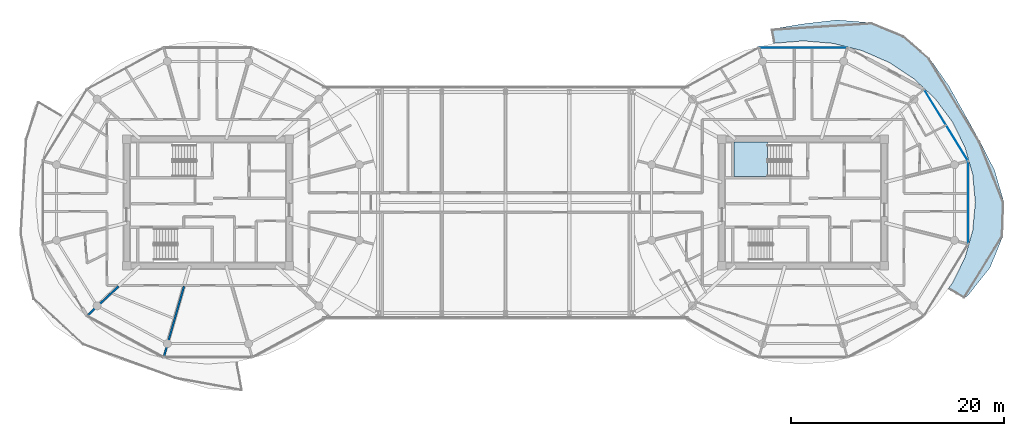
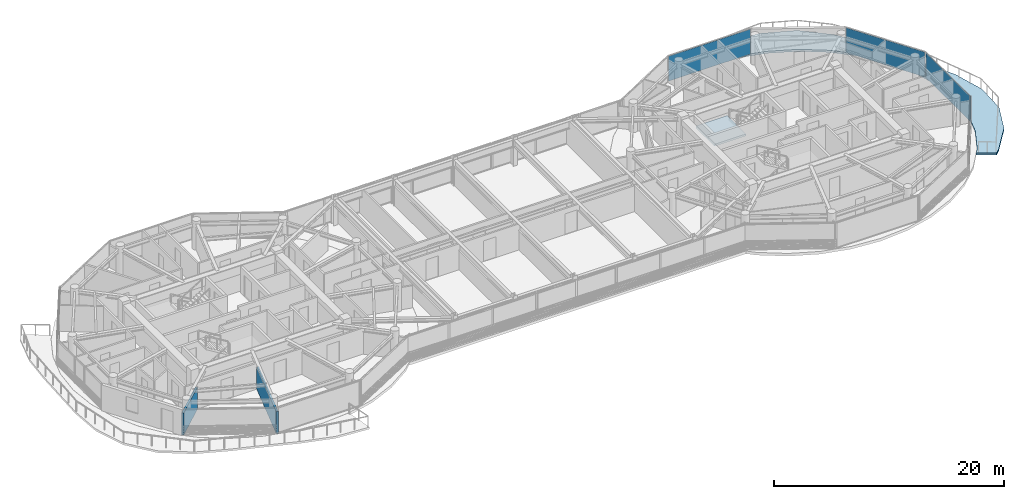
# One storey, part 12 of 23: 3 plates, 2 slabs, 2 walls, 4 elements without a shape of their own.
"""IFC4 building model written with IfcOpenShell, lengths in metres."""

from ifc_helpers import new_model, si_unit, direction, frame, frame_2d, origin, origin_2d, place, context, subcontext, project, spatial, polyline, rectangle, outline, extrude, source, transform, mapped, material, layer, layer_set, type_object, type_shapes, element, aggregate, save


model = new_model("IFC4")

# Units and contexts
model_context = context("Model", 3, precision=1e-05, world=origin(), true_north=direction((0.0, 1.0)))
body_context = subcontext(model_context, "Body", "Model", "MODEL_VIEW")
ifc_project = project(units=[si_unit("LENGTHUNIT", "METRE"), si_unit("AREAUNIT", "SQUARE_METRE"), si_unit("VOLUMEUNIT", "CUBIC_METRE"), si_unit("PLANEANGLEUNIT", "RADIAN"), si_unit("MASSUNIT", "GRAM", prefix="KILO")], contexts=[model_context])

# Site, building, storey
site_placement = place(None, origin())
site = spatial("IfcSite", under=ifc_project, at=site_placement, CompositionType="ELEMENT")
building_placement = place(site_placement, origin())
building = spatial("IfcBuilding", under=site, at=building_placement, Name="Norrkilde Senior Care Towers", CompositionType="ELEMENT")
storey_placement = place(building_placement, frame((0.0, 0.0, 216.949951171875)))
storey = spatial("IfcBuildingStorey", under=building, at=storey_placement, Name="L67", CompositionType="ELEMENT", Elevation=216.949951171875)

# Slab
ifc_material_1 = material(Name="Concrete C50/60", Category="concrete")
ifc_layer_1 = layer(ifc_material_1, 0.215087890625)
ifc_layer_set_1 = layer_set([ifc_layer_1], Name="Concrete C50/60")
slab_type_1 = type_object("IfcSlabType", Name="Sinusoidal Balcony Ribbon Slab 215", PredefinedType="FLOOR", material=ifc_layer_set_1)
slab_1_placement = place(storey_placement, frame((0.0, 0.0, -0.21484375)))
element("IfcSlab", 1, at=slab_1_placement, inside=storey, type_object=slab_type_1, Name="L67 Drum E Swirling Senior Balcony 1", PredefinedType="FLOOR", context=body_context, shape_type="SweptSolid", body=[
    extrude(outline(polyline([(43.1630859375, -9.048095703125), (41.635498046875, -8.136474609375), (42.033935546875, -7.6025390625), (43.227783203125, -5.200439453125), (43.958740234375, -2.640380859375), (44.205078125, 0.0), (43.958740234375, 2.640380859375), (43.227783203125, 5.200439453125), (42.033935546875, 7.6025390625), (40.413818359375, 9.773681640625), (38.416259765625, 11.647705078125), (36.1025390625, 13.16796875), (33.54248046875, 14.2880859375), (30.81396484375, 14.97412109375), (28.0, 15.205078125), (25.234375, 14.97802734375), (24.9892578125, 16.30517578125), (28.0, 16.806396484375), (31.177490234375, 17.171875), (34.43994140625, 16.916259765625), (37.463134765625, 15.68017578125), (39.9072265625, 13.54150390625), (41.72265625, 10.9443359375), (43.19384765625, 8.31640625), (44.634765625, 5.746337890625), (46.015625, 3.02685546875), (46.90087890625, 0.0), (46.796630859375, -3.173583984375), (45.587158203125, -6.11572265625), (43.635498046875, -8.588134765625), (43.1630859375, -9.048095703125)])), origin(), (0.0, 0.0, 1.0), 0.21484375),
])

# Stair, slab
ifc_material_2 = material(Name="Concrete C45/55", Category="concrete")
stair_type = type_object("IfcStairType", Name="Core Protected Dogleg Stair Typical 3050", PredefinedType="HALF_TURN_STAIR", material=ifc_material_2)
stair_placement = place(storey_placement, origin())
stair = element("IfcStair", 2, at=stair_placement, inside=storey, type_object=stair_type, Name="L67 Protected Core Stair E1", PredefinedType="HALF_TURN_STAIR")
ifc_layer_2 = layer(ifc_material_2, 0.199951171875)
ifc_layer_set_2 = layer_set([ifc_layer_2], Name="Concrete C45/55")
slab_type_2 = type_object("IfcSlabType", Name="Stair Landing Slab 200", PredefinedType="LANDING", material=ifc_layer_set_2)
slab_2_placement = place(storey_placement, frame((0.0, 0.0, 1.324951171875)))
slab_2 = element("IfcSlab", 3, at=slab_2_placement, type_object=slab_type_2, Name="ST-E1 landing 1", PredefinedType="LANDING", context=body_context, shape_type="SweptSolid", body=[
    extrude(outline(polyline([(24.659912109375, 5.68994140625), (21.5, 5.68994140625), (21.5, 2.449951171875), (24.659912109375, 2.449951171875), (24.659912109375, 5.68994140625)])), origin(), (0.0, 0.0, 1.0), 0.2001953125),
])
aggregate(stair, [slab_2])

# Curtain wall, plate
ifc_material_3 = material(Name="Triple Low-E Insulated Glazing", Category="glass")
ifc_layer_3 = layer(ifc_material_3, 0.18505859375)
ifc_layer_set_3 = layer_set([ifc_layer_3], Name="Triple Low-E Insulated Glazing")
curtain_wall_type = type_object("IfcCurtainWallType", Name="CW6 Zone 4 Crown Pavilion Curtain Wall", PredefinedType="NOTDEFINED", material=ifc_layer_set_3)
curtain_wall_1_placement = place(storey_placement, origin())
curtain_wall_1 = element("IfcCurtainWall", 4, at=curtain_wall_1_placement, inside=storey, type_object=curtain_wall_type, Name="L67 Drum E Curtain Wall 00", PredefinedType="NOTDEFINED")
ifc_layer_4 = layer(ifc_material_3, 0.035888671875)
ifc_layer_set_4 = layer_set([ifc_layer_4], Name="Triple Low-E Insulated Glazing")
plate_type = type_object("IfcPlateType", Name="Triple Low-E Vision Curtain Panel 36", PredefinedType="CURTAIN_PANEL", material=ifc_layer_set_4)
shared_shape_1 = source(origin(), body_context, "Body", "SweptSolid", [
    extrude(rectangle(XDim=7.80859375, YDim=0.035888671875, at=origin_2d()), origin(), (0.0, 0.0, 1.0), 2.639892578125),
])
plate_1_placement = place(storey_placement, frame((41.451171875, 7.282958984375, 0.06005859375), z_axis=(0.0, 0.0, 1.0), x_axis=(0.524252726748, -0.851562727283, 0.0)))
plate_1 = element("IfcPlate", 5, at=plate_1_placement, type_object=plate_type, Name="CW-6 panel 1.1", PredefinedType="CURTAIN_PANEL", context=body_context, shape_type="MappedRepresentation", body=[
    mapped(shared_shape_1, transform((0.0, 0.0, 0.0), x_axis=(1.0, 0.0, 0.0), y_axis=(0.0, 1.0, 0.0), z_axis=(0.0, 0.0, 1.0), scale=1.0)),
])
aggregate(curtain_wall_1, [plate_1])

curtain_wall_2_placement = place(storey_placement, origin())
curtain_wall_2 = element("IfcCurtainWall", 6, at=curtain_wall_2_placement, inside=storey, type_object=curtain_wall_type, Name="L67 Drum E Curtain Wall 02", PredefinedType="NOTDEFINED")
shared_shape_2 = source(origin(), body_context, "Body", "SweptSolid", [
    extrude(rectangle(XDim=8.193603515625, YDim=0.035888671875, at=origin_2d()), origin(), (0.0, 0.0, 1.0), 2.639892578125),
])
plate_2_placement = place(storey_placement, frame((28.0, 14.566162109375, 0.06005859375), z_axis=(0.0, 0.0, 1.0), x_axis=(1.0, 0.0, 0.0)))
plate_2 = element("IfcPlate", 7, at=plate_2_placement, type_object=plate_type, Name="CW-6 panel 1.1", PredefinedType="CURTAIN_PANEL", context=body_context, shape_type="MappedRepresentation", body=[
    mapped(shared_shape_2, transform((0.0, 0.0, 0.0), x_axis=(1.0, 0.0, 0.0), y_axis=(0.0, 1.0, 0.0), z_axis=(0.0, 0.0, 1.0), scale=1.0)),
])
aggregate(curtain_wall_2, [plate_2])

curtain_wall_3_placement = place(storey_placement, origin())
curtain_wall_3 = element("IfcCurtainWall", 8, at=curtain_wall_3_placement, inside=storey, type_object=curtain_wall_type, Name="L67 Drum E Curtain Wall 11", PredefinedType="NOTDEFINED")
shared_shape_3 = source(origin(), body_context, "Body", "SweptSolid", [
    extrude(rectangle(XDim=7.676025390625, YDim=0.035888671875, at=origin_2d()), origin(), (0.0, 0.0, 1.0), 2.639892578125),
])
type_shapes(plate_type, [shared_shape_1, shared_shape_2, shared_shape_3])
plate_3_placement = place(storey_placement, frame((43.531982421875, 0.0, 0.06005859375), z_axis=(0.0, 0.0, 1.0), x_axis=(0.0, -1.0, 0.0)))
plate_3 = element("IfcPlate", 9, at=plate_3_placement, type_object=plate_type, Name="CW-6 panel 1.1", PredefinedType="CURTAIN_PANEL", context=body_context, shape_type="MappedRepresentation", body=[
    mapped(shared_shape_3, transform((0.0, 0.0, 0.0), x_axis=(1.0, 0.0, 0.0), y_axis=(0.0, 1.0, 0.0), z_axis=(0.0, 0.0, 1.0), scale=1.0)),
])
aggregate(curtain_wall_3, [plate_3])

# Walls
ifc_material_4 = material(Name="Gypsum Acoustic Board")
ifc_layer_5 = layer(ifc_material_4, 0.18994140625)
ifc_layer_set_5 = layer_set([ifc_layer_5], Name="Gypsum Acoustic Board")
wall_type = type_object("IfcWallType", Name="Unit Demising Acoustic Wall 190", PredefinedType="PARTITIONING", material=ifc_layer_set_5)
shared_shape_4 = source(origin(), body_context, "Body", "SweptSolid", [
    extrude(rectangle(XDim=4.089111328125, YDim=0.18994140625, at=frame_2d((2.04443359375, 0.0))), origin(), (0.0, 0.0, 1.0), 2.344970703125),
])
wall_1_placement = place(storey_placement, frame((-36.40185546875, -7.8798828125, 0.0), z_axis=(0.0, 0.0, 1.0), x_axis=(-0.729401273609, -0.684086092577, 0.0)))
element("IfcWall", 10, at=wall_1_placement, inside=storey, type_object=wall_type, Name="WL-INT-L67-W-DEM-07-0", PredefinedType="PARTITIONING", context=body_context, shape_type="MappedRepresentation", body=[
    mapped(shared_shape_4, transform((0.0, 0.0, 0.0), x_axis=(1.0, 0.0, 0.0), y_axis=(0.0, 1.0, 0.0), z_axis=(0.0, 0.0, 1.0), scale=1.0)),
])
shared_shape_5 = source(origin(), body_context, "Body", "SweptSolid", [
    extrude(rectangle(XDim=6.973876953125, YDim=0.18994140625, at=frame_2d((3.48681640625, 0.0))), origin(), (0.0, 0.0, 1.0), 2.344970703125),
])
type_shapes(wall_type, [shared_shape_4, shared_shape_5])
wall_2_placement = place(storey_placement, frame((-30.251220703125, -7.8798828125, 0.0), z_axis=(0.0, 0.0, 1.0), x_axis=(-0.274707256801, -0.961527910703, 0.0)))
element("IfcWall", 11, at=wall_2_placement, inside=storey, type_object=wall_type, Name="WL-INT-L67-W-DEM-08-0", PredefinedType="PARTITIONING", context=body_context, shape_type="MappedRepresentation", body=[
    mapped(shared_shape_5, transform((0.0, 0.0, 0.0), x_axis=(1.0, 0.0, 0.0), y_axis=(0.0, 1.0, 0.0), z_axis=(0.0, 0.0, 1.0), scale=1.0)),
])

save(model, "model.ifc")
